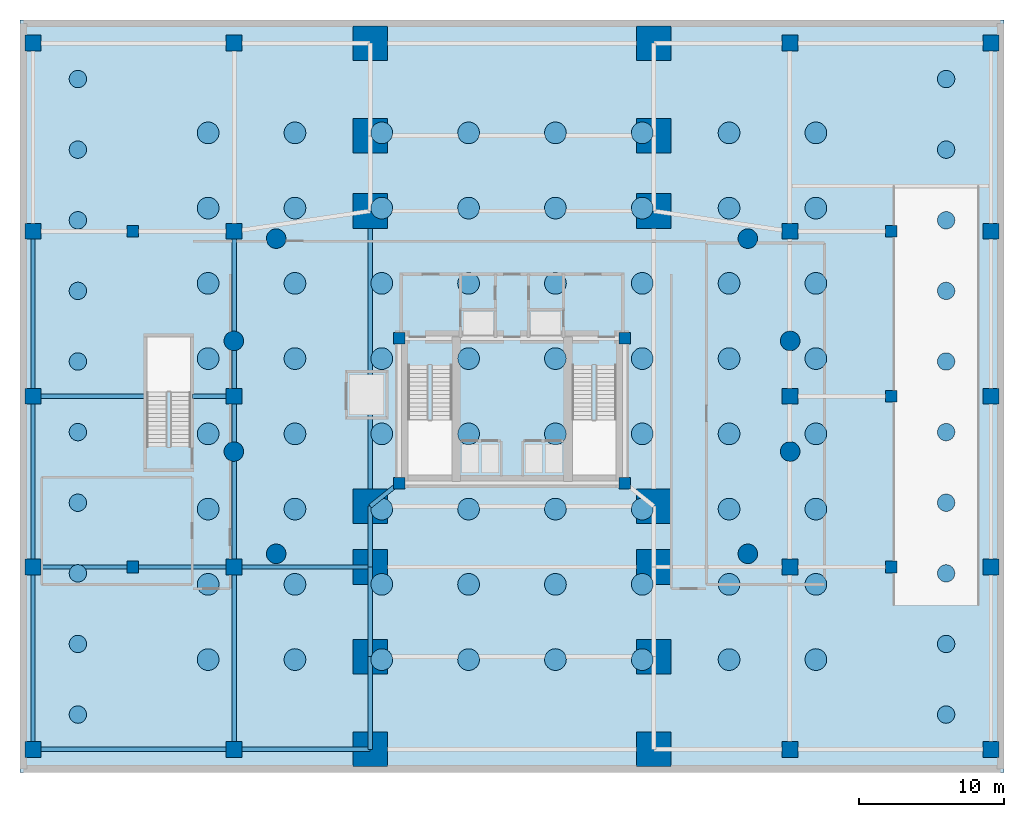
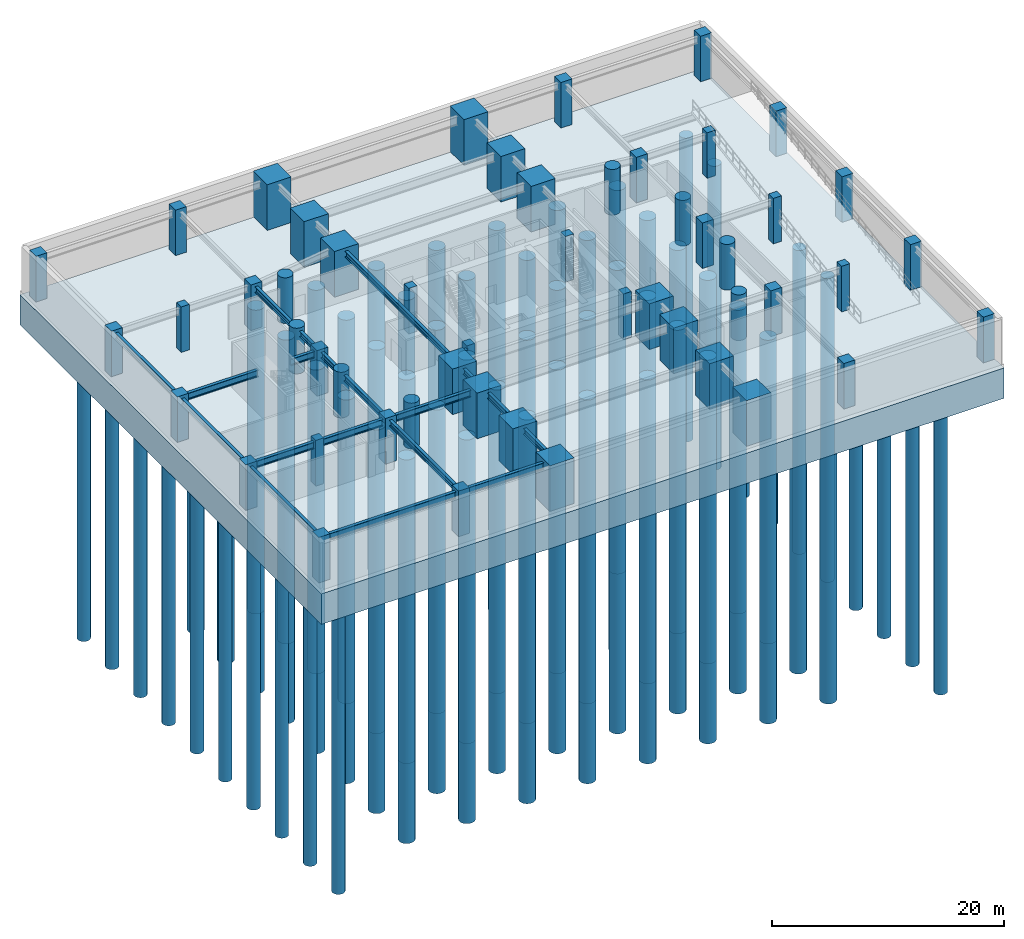
# One storey, part 1 of 8: 84 piles, 51 columns, 17 beams, 1 footing.
"""IFC4 building model written with IfcOpenShell, lengths in metres."""

from ifc_helpers import new_model, si_unit, direction, frame, origin, origin_2d, place, context, subcontext, project, spatial, polyline, rectangle, circle, i_section, outline, extrude, material, layer, layer_set, material_profile, profile_set, type_object, element, save


model = new_model("IFC4")

# Units and contexts
model_context = context("Model", 3, precision=1e-05, world=origin(), true_north=direction((0.0, 1.0)))
body_context = subcontext(model_context, "Body", "Model", "MODEL_VIEW")
ifc_project = project(units=[si_unit("LENGTHUNIT", "METRE"), si_unit("AREAUNIT", "SQUARE_METRE"), si_unit("VOLUMEUNIT", "CUBIC_METRE"), si_unit("PLANEANGLEUNIT", "RADIAN"), si_unit("MASSUNIT", "GRAM", prefix="KILO"), si_unit("THERMODYNAMICTEMPERATUREUNIT", "KELVIN"), si_unit("POWERUNIT", "WATT")], contexts=[model_context])

# Site, building, storey
site_placement = place(None, origin())
site = spatial("IfcSite", under=ifc_project, at=site_placement, CompositionType="ELEMENT")
building_placement = place(site_placement, origin())
building = spatial("IfcBuilding", under=site, at=building_placement, Name="Ocrelia Relay Tower", CompositionType="ELEMENT")
storey_placement = place(building_placement, frame((0.0, 0.0, -9.60009765625)))
storey = spatial("IfcBuildingStorey", under=building, at=storey_placement, Name="B2", CompositionType="ELEMENT", Elevation=-9.60009765625)

# Footing
ifc_material_1 = material(Name="Concrete C50/60", Category="concrete")
ifc_layer = layer(ifc_material_1, 3.199951171875, Name="Concrete C50/60")
ifc_layer_set = layer_set([ifc_layer], Name="Concrete C50/60")
footing_type = type_object("IfcFootingType", Name="FT-RAFT-3200", PredefinedType="USERDEFINED", material=ifc_layer_set)
footing_placement = place(storey_placement, frame((0.0, 0.0, -3.599853515625)))
element("IfcFooting", 1, at=footing_placement, inside=storey, type_object=footing_type, Name="Tower and Podium Piled Raft Foundation", ObjectType="PILED RAFT", PredefinedType="USERDEFINED", context=body_context, shape_type="SweptSolid", body=[
    extrude(outline(polyline([(0.0, 0.0), (68.0, 0.0), (68.0, 52.0), (0.0, 52.0), (0.0, 0.0)])), origin(), (0.0, 0.0, 1.0), 3.199951171875),
])

# Piles
ifc_material_profile_1 = material_profile(ifc_material_1, circle(Radius=0.75, at=origin_2d()), Name="PILE-1500")
ifc_profile_set_1 = profile_set([ifc_material_profile_1], Name="Concrete C50/60")
pile_type_1 = type_object("IfcPileType", Name="PL-BORED-1500", PredefinedType="BORED", material=ifc_profile_set_1)
for number, where, z_axis, x_axis, name in (
    (2, (13.0, 7.800048828125, -3.449951171875), (0.0, 0.0, -1.0), (1.0, 0.0, 0.0), "Tower Bored Pile P01"),
    (3, (13.0, 13.0, -3.449951171875), (0.0, 0.0, -1.0), (1.0, 0.0, 0.0), "Tower Bored Pile P02"),
    (4, (13.0, 18.199951171875, -3.449951171875), (0.0, 0.0, -1.0), (1.0, 0.0, 0.0), "Tower Bored Pile P03"),
    (5, (13.0, 23.39990234375, -3.449951171875), (0.0, 0.0, -1.0), (1.0, 0.0, 0.0), "Tower Bored Pile P04"),
    (6, (13.0, 28.60009765625, -3.449951171875), (0.0, 0.0, -1.0), (1.0, 0.0, 0.0), "Tower Bored Pile P05"),
    (7, (13.0, 33.800048828125, -3.449951171875), (0.0, 0.0, -1.0), (1.0, 0.0, 0.0), "Tower Bored Pile P06"),
    (8, (13.0, 39.0, -3.449951171875), (0.0, 0.0, -1.0), (1.0, 0.0, 0.0), "Tower Bored Pile P07"),
    (9, (13.0, 44.199951171875, -3.449951171875), (0.0, 0.0, -1.0), (1.0, 0.0, 0.0), "Tower Bored Pile P08"),
    (10, (19.0, 7.800048828125, -3.449951171875), (0.0, 0.0, -1.0), (1.0, 0.0, 0.0), "Tower Bored Pile P09"),
    (11, (19.0, 13.0, -3.449951171875), (0.0, 0.0, -1.0), (1.0, 0.0, 0.0), "Tower Bored Pile P10"),
    (12, (19.0, 18.199951171875, -3.449951171875), (0.0, 0.0, -1.0), (1.0, 0.0, 0.0), "Tower Bored Pile P11"),
    (13, (19.0, 23.39990234375, -3.449951171875), (0.0, 0.0, -1.0), (1.0, 0.0, 0.0), "Tower Bored Pile P12"),
    (14, (19.0, 28.60009765625, -3.449951171875), (0.0, 0.0, -1.0), (1.0, 0.0, 0.0), "Tower Bored Pile P13"),
    (15, (19.0, 33.800048828125, -3.449951171875), (0.0, 0.0, -1.0), (1.0, 0.0, 0.0), "Tower Bored Pile P14"),
    (16, (19.0, 39.0, -3.449951171875), (0.0, 0.0, -1.0), (1.0, 0.0, 0.0), "Tower Bored Pile P15"),
    (17, (19.0, 44.199951171875, -3.449951171875), (0.0, 0.0, -1.0), (1.0, 0.0, 0.0), "Tower Bored Pile P16"),
    (18, (25.0, 7.800048828125, -3.449951171875), (0.0, 0.0, -1.0), (1.0, 0.0, 0.0), "Tower Bored Pile P17"),
    (19, (25.0, 13.0, -3.449951171875), (0.0, 0.0, -1.0), (1.0, 0.0, 0.0), "Tower Bored Pile P18"),
    (20, (25.0, 18.199951171875, -3.449951171875), (0.0, 0.0, -1.0), (1.0, 0.0, 0.0), "Tower Bored Pile P19"),
    (21, (25.0, 23.39990234375, -3.449951171875), (0.0, 0.0, -1.0), (1.0, 0.0, 0.0), "Tower Bored Pile P20"),
    (22, (25.0, 28.60009765625, -3.449951171875), (0.0, 0.0, -1.0), (1.0, 0.0, 0.0), "Tower Bored Pile P21"),
    (23, (25.0, 33.800048828125, -3.449951171875), (0.0, 0.0, -1.0), (1.0, 0.0, 0.0), "Tower Bored Pile P22"),
    (24, (25.0, 39.0, -3.449951171875), (0.0, 0.0, -1.0), (1.0, 0.0, 0.0), "Tower Bored Pile P23"),
    (25, (25.0, 44.199951171875, -3.449951171875), (0.0, 0.0, -1.0), (1.0, 0.0, 0.0), "Tower Bored Pile P24"),
    (26, (31.0, 7.800048828125, -3.449951171875), (0.0, 0.0, -1.0), (1.0, 0.0, 0.0), "Tower Bored Pile P25"),
    (27, (31.0, 13.0, -3.449951171875), (0.0, 0.0, -1.0), (1.0, 0.0, 0.0), "Tower Bored Pile P26"),
    (28, (31.0, 18.199951171875, -3.449951171875), (0.0, 0.0, -1.0), (1.0, 0.0, 0.0), "Tower Bored Pile P27"),
    (29, (31.0, 23.39990234375, -3.449951171875), (0.0, 0.0, -1.0), (1.0, 0.0, 0.0), "Tower Bored Pile P28"),
    (30, (31.0, 28.60009765625, -3.449951171875), (0.0, 0.0, -1.0), (1.0, 0.0, 0.0), "Tower Bored Pile P29"),
    (31, (31.0, 33.800048828125, -3.449951171875), (0.0, 0.0, -1.0), (1.0, 0.0, 0.0), "Tower Bored Pile P30"),
    (32, (31.0, 39.0, -3.449951171875), (0.0, 0.0, -1.0), (1.0, 0.0, 0.0), "Tower Bored Pile P31"),
    (33, (31.0, 44.199951171875, -3.449951171875), (0.0, 0.0, -1.0), (1.0, 0.0, 0.0), "Tower Bored Pile P32"),
    (34, (37.0, 7.800048828125, -3.449951171875), (0.0, 0.0, -1.0), (1.0, 0.0, 0.0), "Tower Bored Pile P33"),
    (35, (37.0, 13.0, -3.449951171875), (0.0, 0.0, -1.0), (1.0, 0.0, 0.0), "Tower Bored Pile P34"),
    (36, (37.0, 18.199951171875, -3.449951171875), (0.0, 0.0, -1.0), (1.0, 0.0, 0.0), "Tower Bored Pile P35"),
    (37, (37.0, 23.39990234375, -3.449951171875), (0.0, 0.0, -1.0), (1.0, 0.0, 0.0), "Tower Bored Pile P36"),
    (38, (37.0, 28.60009765625, -3.449951171875), (0.0, 0.0, -1.0), (1.0, 0.0, 0.0), "Tower Bored Pile P37"),
    (39, (37.0, 33.800048828125, -3.449951171875), (0.0, 0.0, -1.0), (1.0, 0.0, 0.0), "Tower Bored Pile P38"),
    (40, (37.0, 39.0, -3.449951171875), (0.0, 0.0, -1.0), (1.0, 0.0, 0.0), "Tower Bored Pile P39"),
    (41, (37.0, 44.199951171875, -3.449951171875), (0.0, 0.0, -1.0), (1.0, 0.0, 0.0), "Tower Bored Pile P40"),
    (42, (43.0, 7.800048828125, -3.449951171875), (0.0, 0.0, -1.0), (1.0, 0.0, 0.0), "Tower Bored Pile P41"),
    (43, (43.0, 13.0, -3.449951171875), (0.0, 0.0, -1.0), (1.0, 0.0, 0.0), "Tower Bored Pile P42"),
    (44, (43.0, 18.199951171875, -3.449951171875), (0.0, 0.0, -1.0), (1.0, 0.0, 0.0), "Tower Bored Pile P43"),
    (45, (43.0, 23.39990234375, -3.449951171875), (0.0, 0.0, -1.0), (1.0, 0.0, 0.0), "Tower Bored Pile P44"),
    (46, (43.0, 28.60009765625, -3.449951171875), (0.0, 0.0, -1.0), (1.0, 0.0, 0.0), "Tower Bored Pile P45"),
    (47, (43.0, 33.800048828125, -3.449951171875), (0.0, 0.0, -1.0), (1.0, 0.0, 0.0), "Tower Bored Pile P46"),
    (48, (43.0, 39.0, -3.449951171875), (0.0, 0.0, -1.0), (1.0, 0.0, 0.0), "Tower Bored Pile P47"),
    (49, (43.0, 44.199951171875, -3.449951171875), (0.0, 0.0, -1.0), (1.0, 0.0, 0.0), "Tower Bored Pile P48"),
    (50, (49.0, 7.800048828125, -3.449951171875), (0.0, 0.0, -1.0), (1.0, 0.0, 0.0), "Tower Bored Pile P49"),
    (51, (49.0, 13.0, -3.449951171875), (0.0, 0.0, -1.0), (1.0, 0.0, 0.0), "Tower Bored Pile P50"),
    (52, (49.0, 18.199951171875, -3.449951171875), (0.0, 0.0, -1.0), (1.0, 0.0, 0.0), "Tower Bored Pile P51"),
    (53, (49.0, 23.39990234375, -3.449951171875), (0.0, 0.0, -1.0), (1.0, 0.0, 0.0), "Tower Bored Pile P52"),
    (54, (49.0, 28.60009765625, -3.449951171875), (0.0, 0.0, -1.0), (1.0, 0.0, 0.0), "Tower Bored Pile P53"),
    (55, (49.0, 33.800048828125, -3.449951171875), (0.0, 0.0, -1.0), (1.0, 0.0, 0.0), "Tower Bored Pile P54"),
    (56, (49.0, 39.0, -3.449951171875), (0.0, 0.0, -1.0), (1.0, 0.0, 0.0), "Tower Bored Pile P55"),
    (57, (49.0, 44.199951171875, -3.449951171875), (0.0, 0.0, -1.0), (1.0, 0.0, 0.0), "Tower Bored Pile P56"),
    (58, (55.0, 7.800048828125, -3.449951171875), (0.0, 0.0, -1.0), (1.0, 0.0, 0.0), "Tower Bored Pile P57"),
    (59, (55.0, 13.0, -3.449951171875), (0.0, 0.0, -1.0), (1.0, 0.0, 0.0), "Tower Bored Pile P58"),
    (60, (55.0, 18.199951171875, -3.449951171875), (0.0, 0.0, -1.0), (1.0, 0.0, 0.0), "Tower Bored Pile P59"),
    (61, (55.0, 23.39990234375, -3.449951171875), (0.0, 0.0, -1.0), (1.0, 0.0, 0.0), "Tower Bored Pile P60"),
    (62, (55.0, 28.60009765625, -3.449951171875), (0.0, 0.0, -1.0), (1.0, 0.0, 0.0), "Tower Bored Pile P61"),
    (63, (55.0, 33.800048828125, -3.449951171875), (0.0, 0.0, -1.0), (1.0, 0.0, 0.0), "Tower Bored Pile P62"),
    (64, (55.0, 39.0, -3.449951171875), (0.0, 0.0, -1.0), (1.0, 0.0, 0.0), "Tower Bored Pile P63"),
    (65, (55.0, 44.199951171875, -3.449951171875), (0.0, 0.0, -1.0), (1.0, 0.0, 0.0), "Tower Bored Pile P64"),
):
    element("IfcPile", number, at=place(storey_placement, frame(where, z_axis=z_axis, x_axis=x_axis)), inside=storey, type_object=pile_type_1, Name=name, PredefinedType="BORED", context=body_context, shape_type="SweptSolid", body=[
        extrude(circle(Radius=0.75, at=origin_2d()), origin(), (0.0, 0.0, 1.0), 32.0),
    ])
ifc_material_profile_2 = material_profile(ifc_material_1, circle(Radius=0.60009765625, at=origin_2d()), Name="PILE-1200")
ifc_profile_set_2 = profile_set([ifc_material_profile_2], Name="Concrete C50/60")
pile_type_2 = type_object("IfcPileType", Name="PL-SUPP-1200", PredefinedType="SUPPORT", material=ifc_profile_set_2)
for number, where, z_axis, x_axis, name in (
    (66, (4.0, 4.0, -3.449951171875), (0.0, 0.0, -1.0), (1.0, 0.0, 0.0), "Podium Bored Pile P65"),
    (67, (4.0, 8.8798828125, -3.449951171875), (0.0, 0.0, -1.0), (1.0, 0.0, 0.0), "Podium Bored Pile P66"),
    (68, (4.0, 13.760009765625, -3.449951171875), (0.0, 0.0, -1.0), (1.0, 0.0, 0.0), "Podium Bored Pile P67"),
    (69, (4.0, 18.639892578125, -3.449951171875), (0.0, 0.0, -1.0), (1.0, 0.0, 0.0), "Podium Bored Pile P68"),
    (70, (4.0, 23.52001953125, -3.449951171875), (0.0, 0.0, -1.0), (1.0, 0.0, 0.0), "Podium Bored Pile P69"),
    (71, (4.0, 28.39990234375, -3.449951171875), (0.0, 0.0, -1.0), (1.0, 0.0, 0.0), "Podium Bored Pile P70"),
    (72, (4.0, 33.280029296875, -3.449951171875), (0.0, 0.0, -1.0), (1.0, 0.0, 0.0), "Podium Bored Pile P71"),
    (73, (4.0, 38.159912109375, -3.449951171875), (0.0, 0.0, -1.0), (1.0, 0.0, 0.0), "Podium Bored Pile P72"),
    (74, (4.0, 43.0400390625, -3.449951171875), (0.0, 0.0, -1.0), (1.0, 0.0, 0.0), "Podium Bored Pile P73"),
    (75, (4.0, 47.919921875, -3.449951171875), (0.0, 0.0, -1.0), (1.0, 0.0, 0.0), "Podium Bored Pile P74"),
    (76, (64.0, 4.0, -3.449951171875), (0.0, 0.0, -1.0), (1.0, 0.0, 0.0), "Podium Bored Pile P75"),
    (77, (64.0, 8.8798828125, -3.449951171875), (0.0, 0.0, -1.0), (1.0, 0.0, 0.0), "Podium Bored Pile P76"),
    (78, (64.0, 13.760009765625, -3.449951171875), (0.0, 0.0, -1.0), (1.0, 0.0, 0.0), "Podium Bored Pile P77"),
    (79, (64.0, 18.639892578125, -3.449951171875), (0.0, 0.0, -1.0), (1.0, 0.0, 0.0), "Podium Bored Pile P78"),
    (80, (64.0, 23.52001953125, -3.449951171875), (0.0, 0.0, -1.0), (1.0, 0.0, 0.0), "Podium Bored Pile P79"),
    (81, (64.0, 28.39990234375, -3.449951171875), (0.0, 0.0, -1.0), (1.0, 0.0, 0.0), "Podium Bored Pile P80"),
    (82, (64.0, 33.280029296875, -3.449951171875), (0.0, 0.0, -1.0), (1.0, 0.0, 0.0), "Podium Bored Pile P81"),
    (83, (64.0, 38.159912109375, -3.449951171875), (0.0, 0.0, -1.0), (1.0, 0.0, 0.0), "Podium Bored Pile P82"),
    (84, (64.0, 43.0400390625, -3.449951171875), (0.0, 0.0, -1.0), (1.0, 0.0, 0.0), "Podium Bored Pile P83"),
    (85, (64.0, 47.919921875, -3.449951171875), (0.0, 0.0, -1.0), (1.0, 0.0, 0.0), "Podium Bored Pile P84"),
):
    element("IfcPile", number, at=place(storey_placement, frame(where, z_axis=z_axis, x_axis=x_axis)), inside=storey, type_object=pile_type_2, Name=name, PredefinedType="SUPPORT", context=body_context, shape_type="SweptSolid", body=[
        extrude(circle(Radius=0.60009765625, at=origin_2d()), origin(), (0.0, 0.0, 1.0), 32.0),
    ])

# Columns
ifc_material_2 = material(Name="Concrete C70/85", Category="concrete")
ifc_material_profile_3 = material_profile(ifc_material_2, rectangle(XDim=1.10009765625, YDim=1.10009765625, at=origin_2d()), Name="RC-COL-1100x1100")
ifc_profile_set_3 = profile_set([ifc_material_profile_3], Name="Concrete C70/85")
column_type_1 = type_object("IfcColumnType", Name="COL-CC-1100", PredefinedType="COLUMN", material=ifc_profile_set_3)
for number, where, z_axis, x_axis, name in (
    (86, (0.89990234375, 1.60009765625, 0.0), (0.0, 0.0, 1.0), (1.0, 0.0, 0.0), "B2 Podium Column PC01"),
    (87, (0.89990234375, 14.199951171875, 0.0), (0.0, 0.0, 1.0), (1.0, 0.0, 0.0), "B2 Podium Column PC02"),
    (88, (0.89990234375, 26.0, 0.0), (0.0, 0.0, 1.0), (1.0, 0.0, 0.0), "B2 Podium Column PC03"),
    (89, (0.89990234375, 37.39990234375, 0.0), (0.0, 0.0, 1.0), (1.0, 0.0, 0.0), "B2 Podium Column PC04"),
    (90, (0.89990234375, 50.39990234375, 0.0), (0.0, 0.0, 1.0), (1.0, 0.0, 0.0), "B2 Podium Column PC05"),
    (91, (14.800048828125, 1.60009765625, 0.0), (0.0, 0.0, 1.0), (1.0, 0.0, 0.0), "B2 Podium Column PC06"),
    (92, (14.800048828125, 14.199951171875, 0.0), (0.0, 0.0, 1.0), (1.0, 0.0, 0.0), "B2 Podium Column PC07"),
    (93, (14.800048828125, 26.0, 0.0), (0.0, 0.0, 1.0), (1.0, 0.0, 0.0), "B2 Podium Column PC08"),
    (94, (14.800048828125, 37.39990234375, 0.0), (0.0, 0.0, 1.0), (1.0, 0.0, 0.0), "B2 Podium Column PC09"),
    (95, (14.800048828125, 50.39990234375, 0.0), (0.0, 0.0, 1.0), (1.0, 0.0, 0.0), "B2 Podium Column PC10"),
    (96, (53.199951171875, 1.60009765625, 0.0), (0.0, 0.0, 1.0), (1.0, 0.0, 0.0), "B2 Podium Column PC11"),
    (97, (53.199951171875, 14.199951171875, 0.0), (0.0, 0.0, 1.0), (1.0, 0.0, 0.0), "B2 Podium Column PC12"),
    (98, (53.199951171875, 26.0, 0.0), (0.0, 0.0, 1.0), (1.0, 0.0, 0.0), "B2 Podium Column PC13"),
    (99, (53.199951171875, 37.39990234375, 0.0), (0.0, 0.0, 1.0), (1.0, 0.0, 0.0), "B2 Podium Column PC14"),
    (100, (53.199951171875, 50.39990234375, 0.0), (0.0, 0.0, 1.0), (1.0, 0.0, 0.0), "B2 Podium Column PC15"),
    (101, (67.10009765625, 1.60009765625, 0.0), (0.0, 0.0, 1.0), (1.0, 0.0, 0.0), "B2 Podium Column PC16"),
    (102, (67.10009765625, 14.199951171875, 0.0), (0.0, 0.0, 1.0), (1.0, 0.0, 0.0), "B2 Podium Column PC17"),
    (103, (67.10009765625, 26.0, 0.0), (0.0, 0.0, 1.0), (1.0, 0.0, 0.0), "B2 Podium Column PC18"),
    (104, (67.10009765625, 37.39990234375, 0.0), (0.0, 0.0, 1.0), (1.0, 0.0, 0.0), "B2 Podium Column PC19"),
    (105, (67.10009765625, 50.39990234375, 0.0), (0.0, 0.0, 1.0), (1.0, 0.0, 0.0), "B2 Podium Column PC20"),
):
    element("IfcColumn", number, at=place(storey_placement, frame(where, z_axis=z_axis, x_axis=x_axis)), inside=storey, type_object=column_type_1, Name=name, PredefinedType="COLUMN", context=body_context, shape_type="SweptSolid", body=[
        extrude(rectangle(XDim=1.10009765625, YDim=1.10009765625, at=origin_2d()), origin(), (0.0, 0.0, 1.0), 4.800048828125),
    ])
ifc_material_profile_4 = material_profile(ifc_material_1, rectangle(XDim=0.800048828125, YDim=0.800048828125, at=origin_2d()), Name="RC-COL-800x800")
ifc_profile_set_4 = profile_set([ifc_material_profile_4], Name="Concrete C50/60")
column_type_2 = type_object("IfcColumnType", Name="COL-CC-800", PredefinedType="COLUMN", material=ifc_profile_set_4)
for number, where, z_axis, x_axis, name in (
    (106, (7.800048828125, 14.199951171875, 0.0), (0.0, 0.0, 1.0), (1.0, 0.0, 0.0), "B2 Vehicle Ramp Well Trimmer Column W1"),
    (107, (7.800048828125, 37.39990234375, 0.0), (0.0, 0.0, 1.0), (1.0, 0.0, 0.0), "B2 Vehicle Ramp Well Trimmer Column W2"),
    (108, (60.199951171875, 14.199951171875, 0.0), (0.0, 0.0, 1.0), (1.0, 0.0, 0.0), "B2 Vehicle Ramp Well Trimmer Column E1"),
    (109, (60.199951171875, 26.0, 0.0), (0.0, 0.0, 1.0), (1.0, 0.0, 0.0), "B2 Vehicle Ramp Well Trimmer Column E2"),
    (110, (60.199951171875, 37.39990234375, 0.0), (0.0, 0.0, 1.0), (1.0, 0.0, 0.0), "B2 Vehicle Ramp Well Trimmer Column E3"),
):
    element("IfcColumn", number, at=place(storey_placement, frame(where, z_axis=z_axis, x_axis=x_axis)), inside=storey, type_object=column_type_2, Name=name, PredefinedType="COLUMN", context=body_context, shape_type="SweptSolid", body=[
        extrude(rectangle(XDim=0.800048828125, YDim=0.800048828125, at=origin_2d()), origin(), (0.0, 0.0, 1.0), 4.800048828125),
    ])
ifc_material_profile_5 = material_profile(ifc_material_2, circle(Radius=0.675048828125, at=origin_2d()), Name="RC-CIR-1350")
ifc_profile_set_5 = profile_set([ifc_material_profile_5], Name="Concrete C70/85")
column_type_3 = type_object("IfcColumnType", Name="COL-CT-1350", PredefinedType="COLUMN", material=ifc_profile_set_5)
for number, where, z_axis, x_axis, name in (
    (111, (53.223388671875, 29.82373046875, 0.0), (0.0, 0.0, 1.0), (1.0, 0.0, 0.0), "B2 Tower Ring Column Z1-01"),
    (112, (50.296875, 36.88916015625, 0.0), (0.0, 0.0, 1.0), (1.0, 0.0, 0.0), "B2 Tower Ring Column Z1-02"),
    (113, (17.703125, 36.88916015625, 0.0), (0.0, 0.0, 1.0), (1.0, 0.0, 0.0), "B2 Tower Ring Column Z1-07"),
    (114, (14.776611328125, 29.82373046875, 0.0), (0.0, 0.0, 1.0), (1.0, 0.0, 0.0), "B2 Tower Ring Column Z1-08"),
    (115, (14.776611328125, 22.17626953125, 0.0), (0.0, 0.0, 1.0), (1.0, 0.0, 0.0), "B2 Tower Ring Column Z1-09"),
    (116, (17.703125, 15.11083984375, 0.0), (0.0, 0.0, 1.0), (1.0, 0.0, 0.0), "B2 Tower Ring Column Z1-10"),
    (117, (50.296875, 15.11083984375, 0.0), (0.0, 0.0, 1.0), (1.0, 0.0, 0.0), "B2 Tower Ring Column Z1-15"),
    (118, (53.223388671875, 22.17626953125, 0.0), (0.0, 0.0, 1.0), (1.0, 0.0, 0.0), "B2 Tower Ring Column Z1-16"),
):
    element("IfcColumn", number, at=place(storey_placement, frame(where, z_axis=z_axis, x_axis=x_axis)), inside=storey, type_object=column_type_3, Name=name, PredefinedType="COLUMN", context=body_context, shape_type="SweptSolid", body=[
        extrude(circle(Radius=0.675048828125, at=origin_2d()), origin(), (0.0, 0.0, 1.0), 4.800048828125),
    ])
ifc_material_profile_6 = material_profile(ifc_material_2, rectangle(XDim=2.39990234375, YDim=2.39990234375, at=origin_2d()), Name="RC-PIER-2400x2400")
ifc_profile_set_6 = profile_set([ifc_material_profile_6], Name="Concrete C70/85")
column_type_4 = type_object("IfcColumnType", Name="COL-PIER-2400", PredefinedType="USERDEFINED", material=ifc_profile_set_6)
for number, where, z_axis, x_axis, name in (
    (119, (24.199951171875, 1.60009765625, 0.0), (0.0, 0.0, 1.0), (1.0, 0.0, 0.0), "B2 Portal Arch Pier P01"),
    (120, (24.199951171875, 8.0, 0.0), (0.0, 0.0, 1.0), (1.0, 0.0, 0.0), "B2 Portal Arch Pier P02"),
    (121, (24.199951171875, 14.199951171875, 0.0), (0.0, 0.0, 1.0), (1.0, 0.0, 0.0), "B2 Portal Arch Pier P03"),
    (122, (24.199951171875, 18.39990234375, 0.0), (0.0, 0.0, 1.0), (1.0, 0.0, 0.0), "B2 Portal Arch Pier P04"),
    (123, (24.199951171875, 38.800048828125, 0.0), (0.0, 0.0, 1.0), (1.0, 0.0, 0.0), "B2 Portal Arch Pier P05"),
    (124, (24.199951171875, 44.0, 0.0), (0.0, 0.0, 1.0), (1.0, 0.0, 0.0), "B2 Portal Arch Pier P06"),
    (125, (24.199951171875, 50.39990234375, 0.0), (0.0, 0.0, 1.0), (1.0, 0.0, 0.0), "B2 Portal Arch Pier P07"),
    (126, (43.800048828125, 1.60009765625, 0.0), (0.0, 0.0, 1.0), (1.0, 0.0, 0.0), "B2 Portal Arch Pier P08"),
    (127, (43.800048828125, 8.0, 0.0), (0.0, 0.0, 1.0), (1.0, 0.0, 0.0), "B2 Portal Arch Pier P09"),
    (128, (43.800048828125, 14.199951171875, 0.0), (0.0, 0.0, 1.0), (1.0, 0.0, 0.0), "B2 Portal Arch Pier P10"),
    (129, (43.800048828125, 18.39990234375, 0.0), (0.0, 0.0, 1.0), (1.0, 0.0, 0.0), "B2 Portal Arch Pier P11"),
    (130, (43.800048828125, 38.800048828125, 0.0), (0.0, 0.0, 1.0), (1.0, 0.0, 0.0), "B2 Portal Arch Pier P12"),
    (131, (43.800048828125, 44.0, 0.0), (0.0, 0.0, 1.0), (1.0, 0.0, 0.0), "B2 Portal Arch Pier P13"),
    (132, (43.800048828125, 50.39990234375, 0.0), (0.0, 0.0, 1.0), (1.0, 0.0, 0.0), "B2 Portal Arch Pier P14"),
):
    element("IfcColumn", number, at=place(storey_placement, frame(where, z_axis=z_axis, x_axis=x_axis)), inside=storey, type_object=column_type_4, Name=name, ObjectType="PORTAL PIER", PredefinedType="USERDEFINED", context=body_context, shape_type="SweptSolid", body=[
        extrude(rectangle(XDim=2.39990234375, YDim=2.39990234375, at=origin_2d()), origin(), (0.0, 0.0, 1.0), 4.800048828125),
    ])
ifc_material_3 = material(Name="Concrete C60/75", Category="concrete")
ifc_material_profile_7 = material_profile(ifc_material_3, rectangle(XDim=0.800048828125, YDim=0.800048828125, at=origin_2d()), Name="RC-COL-800x800")
ifc_profile_set_7 = profile_set([ifc_material_profile_7], Name="Concrete C60/75")
column_type_5 = type_object("IfcColumnType", Name="COL-PILASTER-800", PredefinedType="PILASTER", material=ifc_profile_set_7)
for number, where, z_axis, x_axis, name in (
    (133, (26.199951171875, 20.0, 0.0), (0.0, 0.0, 1.0), (1.0, 0.0, 0.0), "B2 Core Corner Pilaster SW"),
    (134, (41.800048828125, 20.0, 0.0), (0.0, 0.0, 1.0), (1.0, 0.0, 0.0), "B2 Core Corner Pilaster SE"),
    (135, (26.199951171875, 30.0, 0.0), (0.0, 0.0, 1.0), (1.0, 0.0, 0.0), "B2 Core Corner Pilaster NW"),
    (136, (41.800048828125, 30.0, 0.0), (0.0, 0.0, 1.0), (1.0, 0.0, 0.0), "B2 Core Corner Pilaster NE"),
):
    element("IfcColumn", number, at=place(storey_placement, frame(where, z_axis=z_axis, x_axis=x_axis)), inside=storey, type_object=column_type_5, Name=name, PredefinedType="PILASTER", context=body_context, shape_type="SweptSolid", body=[
        extrude(rectangle(XDim=0.800048828125, YDim=0.800048828125, at=origin_2d()), origin(), (0.0, 0.0, 1.0), 4.800048828125),
    ])

# Beams
ifc_material_4 = material(Name="Steel S355", Category="steel")
ifc_material_profile_8 = material_profile(ifc_material_4, i_section(OverallWidth=0.300048828125, OverallDepth=0.60009765625, WebThickness=0.015380859375, FlangeThickness=0.030029296875, FilletRadius=0.027099609375, at=origin_2d()), Name="HEB 600")
ifc_profile_set_8 = profile_set([ifc_material_profile_8], Name="Steel S355")
beam_type_1 = type_object("IfcBeamType", Name="BM-HEB600", PredefinedType="BEAM", material=ifc_profile_set_8)
beam_1_placement = place(storey_placement, frame((0.89990234375, 1.60009765625, 4.18017578125), z_axis=(0.0, 1.0, 0.0), x_axis=(-1.0, 0.0, 0.0)))
element("IfcBeam", 137, at=beam_1_placement, inside=storey, type_object=beam_type_1, Name="B2 Podium Span Girder W-1", PredefinedType="BEAM", context=body_context, shape_type="SweptSolid", body=[
    extrude(i_section(OverallWidth=0.300048828125, OverallDepth=0.60009765625, WebThickness=0.015380859375, FlangeThickness=0.030029296875, FilletRadius=0.027099609375, at=origin_2d()), origin(), (0.0, 0.0, 1.0), 12.599853515625),
])
beam_2_placement = place(storey_placement, frame((0.89990234375, 14.199951171875, 4.18017578125), z_axis=(0.0, 1.0, 0.0), x_axis=(-1.0, 0.0, 0.0)))
element("IfcBeam", 138, at=beam_2_placement, inside=storey, type_object=beam_type_1, Name="B2 Podium Span Girder W-2", PredefinedType="BEAM", context=body_context, shape_type="SweptSolid", body=[
    extrude(i_section(OverallWidth=0.300048828125, OverallDepth=0.60009765625, WebThickness=0.015380859375, FlangeThickness=0.030029296875, FilletRadius=0.027099609375, at=origin_2d()), origin(), (0.0, 0.0, 1.0), 11.800048828125),
])
beam_3_placement = place(storey_placement, frame((0.89990234375, 26.0, 4.18017578125), z_axis=(0.0, 1.0, 0.0), x_axis=(-1.0, 0.0, 0.0)))
element("IfcBeam", 139, at=beam_3_placement, inside=storey, type_object=beam_type_1, Name="B2 Podium Span Girder W-3", PredefinedType="BEAM", context=body_context, shape_type="SweptSolid", body=[
    extrude(i_section(OverallWidth=0.300048828125, OverallDepth=0.60009765625, WebThickness=0.015380859375, FlangeThickness=0.030029296875, FilletRadius=0.027099609375, at=origin_2d()), origin(), (0.0, 0.0, 1.0), 11.39990234375),
])
beam_4_placement = place(storey_placement, frame((14.800048828125, 1.60009765625, 4.18017578125), z_axis=(0.0, 1.0, 0.0), x_axis=(-1.0, 0.0, 0.0)))
element("IfcBeam", 140, at=beam_4_placement, inside=storey, type_object=beam_type_1, Name="B2 Podium Span Girder IW-1", PredefinedType="BEAM", context=body_context, shape_type="SweptSolid", body=[
    extrude(i_section(OverallWidth=0.300048828125, OverallDepth=0.60009765625, WebThickness=0.015380859375, FlangeThickness=0.030029296875, FilletRadius=0.027099609375, at=origin_2d()), origin(), (0.0, 0.0, 1.0), 12.599853515625),
])
beam_5_placement = place(storey_placement, frame((14.800048828125, 14.199951171875, 4.18017578125), z_axis=(0.0, 1.0, 0.0), x_axis=(-1.0, 0.0, 0.0)))
element("IfcBeam", 141, at=beam_5_placement, inside=storey, type_object=beam_type_1, Name="B2 Podium Span Girder IW-2", PredefinedType="BEAM", context=body_context, shape_type="SweptSolid", body=[
    extrude(i_section(OverallWidth=0.300048828125, OverallDepth=0.60009765625, WebThickness=0.015380859375, FlangeThickness=0.030029296875, FilletRadius=0.027099609375, at=origin_2d()), origin(), (0.0, 0.0, 1.0), 11.800048828125),
])
beam_6_placement = place(storey_placement, frame((14.800048828125, 26.0, 4.18017578125), z_axis=(0.0, 1.0, 0.0), x_axis=(-1.0, 0.0, 0.0)))
element("IfcBeam", 142, at=beam_6_placement, inside=storey, type_object=beam_type_1, Name="B2 Podium Span Girder IW-3", PredefinedType="BEAM", context=body_context, shape_type="SweptSolid", body=[
    extrude(i_section(OverallWidth=0.300048828125, OverallDepth=0.60009765625, WebThickness=0.015380859375, FlangeThickness=0.030029296875, FilletRadius=0.027099609375, at=origin_2d()), origin(), (0.0, 0.0, 1.0), 11.39990234375),
])
beam_7_placement = place(storey_placement, frame((24.199951171875, 1.60009765625, 4.18017578125), z_axis=(0.0, 1.0, 0.0), x_axis=(-1.0, 0.0, 0.0)))
element("IfcBeam", 143, at=beam_7_placement, inside=storey, type_object=beam_type_1, Name="B2 Pier Line Tie Girder AW-1", PredefinedType="BEAM", context=body_context, shape_type="SweptSolid", body=[
    extrude(i_section(OverallWidth=0.300048828125, OverallDepth=0.60009765625, WebThickness=0.015380859375, FlangeThickness=0.030029296875, FilletRadius=0.027099609375, at=origin_2d()), origin(), (0.0, 0.0, 1.0), 6.39990234375),
])
beam_8_placement = place(storey_placement, frame((24.199951171875, 8.0, 4.18017578125), z_axis=(0.0, 1.0, 0.0), x_axis=(-1.0, 0.0, 0.0)))
element("IfcBeam", 144, at=beam_8_placement, inside=storey, type_object=beam_type_1, Name="B2 Pier Line Tie Girder AW-2", PredefinedType="BEAM", context=body_context, shape_type="SweptSolid", body=[
    extrude(i_section(OverallWidth=0.300048828125, OverallDepth=0.60009765625, WebThickness=0.015380859375, FlangeThickness=0.030029296875, FilletRadius=0.027099609375, at=origin_2d()), origin(), (0.0, 0.0, 1.0), 6.199951171875),
])
beam_9_placement = place(storey_placement, frame((24.199951171875, 14.199951171875, 4.18017578125), z_axis=(0.0, 1.0, 0.0), x_axis=(-1.0, 0.0, 0.0)))
element("IfcBeam", 145, at=beam_9_placement, inside=storey, type_object=beam_type_1, Name="B2 Pier Line Tie Girder AW-3", PredefinedType="BEAM", context=body_context, shape_type="SweptSolid", body=[
    extrude(i_section(OverallWidth=0.300048828125, OverallDepth=0.60009765625, WebThickness=0.015380859375, FlangeThickness=0.030029296875, FilletRadius=0.027099609375, at=origin_2d()), origin(), (0.0, 0.0, 1.0), 4.199951171875),
])
beam_10_placement = place(storey_placement, frame((24.199951171875, 18.39990234375, 4.18017578125), z_axis=(0.0, 1.0, 0.0), x_axis=(-1.0, 0.0, 0.0)))
element("IfcBeam", 146, at=beam_10_placement, inside=storey, type_object=beam_type_1, Name="B2 Pier Line Tie Girder AW-6", PredefinedType="BEAM", context=body_context, shape_type="SweptSolid", body=[
    extrude(i_section(OverallWidth=0.300048828125, OverallDepth=0.60009765625, WebThickness=0.015380859375, FlangeThickness=0.030029296875, FilletRadius=0.027099609375, at=origin_2d()), origin(), (0.0, 0.0, 1.0), 20.400146484375),
])
beam_11_placement = place(storey_placement, frame((24.199951171875, 18.39990234375, 4.18017578125), z_axis=(0.78085021034, 0.624718295724, 0.0), x_axis=(-0.624718295724, 0.78085021034, 0.0)))
element("IfcBeam", 147, at=beam_11_placement, inside=storey, type_object=beam_type_1, Name="B2 Core Pilaster Link Girder AWS", PredefinedType="BEAM", context=body_context, shape_type="SweptSolid", body=[
    extrude(i_section(OverallWidth=0.300048828125, OverallDepth=0.60009765625, WebThickness=0.015380859375, FlangeThickness=0.030029296875, FilletRadius=0.027099609375, at=origin_2d()), origin(), (0.0, 0.0, 1.0), 2.561279296875),
])
ifc_material_profile_9 = material_profile(ifc_material_4, i_section(OverallWidth=0.300048828125, OverallDepth=0.699951171875, WebThickness=0.01708984375, FlangeThickness=0.031982421875, FilletRadius=0.027099609375, at=origin_2d()), Name="HEB 700")
ifc_profile_set_9 = profile_set([ifc_material_profile_9], Name="Steel S355")
beam_type_2 = type_object("IfcBeamType", Name="BM-HEB700", PredefinedType="BEAM", material=ifc_profile_set_9)
beam_12_placement = place(storey_placement, frame((0.89990234375, 1.60009765625, 4.130126953125), z_axis=(1.0, 0.0, 0.0), x_axis=(0.0, 1.0, 0.0)))
element("IfcBeam", 148, at=beam_12_placement, inside=storey, type_object=beam_type_2, Name="B2 West Outer Podium Girder S", PredefinedType="BEAM", context=body_context, shape_type="SweptSolid", body=[
    extrude(i_section(OverallWidth=0.300048828125, OverallDepth=0.699951171875, WebThickness=0.01708984375, FlangeThickness=0.031982421875, FilletRadius=0.027099609375, at=origin_2d()), origin(), (0.0, 0.0, 1.0), 13.900146484375),
])
beam_13_placement = place(storey_placement, frame((14.800048828125, 1.60009765625, 4.130126953125), z_axis=(1.0, 0.0, 0.0), x_axis=(0.0, 1.0, 0.0)))
element("IfcBeam", 149, at=beam_13_placement, inside=storey, type_object=beam_type_2, Name="B2 West Inner Podium Girder S", PredefinedType="BEAM", context=body_context, shape_type="SweptSolid", body=[
    extrude(i_section(OverallWidth=0.300048828125, OverallDepth=0.699951171875, WebThickness=0.01708984375, FlangeThickness=0.031982421875, FilletRadius=0.027099609375, at=origin_2d()), origin(), (0.0, 0.0, 1.0), 9.39990234375),
])
beam_14_placement = place(storey_placement, frame((0.89990234375, 14.199951171875, 4.130126953125), z_axis=(1.0, 0.0, 0.0), x_axis=(0.0, 1.0, 0.0)))
element("IfcBeam", 150, at=beam_14_placement, inside=storey, type_object=beam_type_2, Name="B2 West Outer Podium Girder M1", PredefinedType="BEAM", context=body_context, shape_type="SweptSolid", body=[
    extrude(i_section(OverallWidth=0.300048828125, OverallDepth=0.699951171875, WebThickness=0.01708984375, FlangeThickness=0.031982421875, FilletRadius=0.027099609375, at=origin_2d()), origin(), (0.0, 0.0, 1.0), 13.900146484375),
])
beam_15_placement = place(storey_placement, frame((14.800048828125, 14.199951171875, 4.130126953125), z_axis=(1.0, 0.0, 0.0), x_axis=(0.0, 1.0, 0.0)))
element("IfcBeam", 151, at=beam_15_placement, inside=storey, type_object=beam_type_2, Name="B2 West Inner Podium Girder M1", PredefinedType="BEAM", context=body_context, shape_type="SweptSolid", body=[
    extrude(i_section(OverallWidth=0.300048828125, OverallDepth=0.699951171875, WebThickness=0.01708984375, FlangeThickness=0.031982421875, FilletRadius=0.027099609375, at=origin_2d()), origin(), (0.0, 0.0, 1.0), 9.39990234375),
])
beam_16_placement = place(storey_placement, frame((0.89990234375, 26.0, 4.130126953125), z_axis=(1.0, 0.0, 0.0), x_axis=(0.0, 1.0, 0.0)))
element("IfcBeam", 152, at=beam_16_placement, inside=storey, type_object=beam_type_2, Name="B2 West Mid Podium Girder Outer", PredefinedType="BEAM", context=body_context, shape_type="SweptSolid", body=[
    extrude(i_section(OverallWidth=0.300048828125, OverallDepth=0.699951171875, WebThickness=0.01708984375, FlangeThickness=0.031982421875, FilletRadius=0.027099609375, at=origin_2d()), origin(), (0.0, 0.0, 1.0), 7.752197265625),
])
beam_17_placement = place(storey_placement, frame((11.907958984375, 26.0, 4.130126953125), z_axis=(1.0, 0.0, 0.0), x_axis=(0.0, 1.0, 0.0)))
element("IfcBeam", 153, at=beam_17_placement, inside=storey, type_object=beam_type_2, Name="B2 West Mid Podium Girder Inner", PredefinedType="BEAM", context=body_context, shape_type="SweptSolid", body=[
    extrude(i_section(OverallWidth=0.300048828125, OverallDepth=0.699951171875, WebThickness=0.01708984375, FlangeThickness=0.031982421875, FilletRadius=0.027099609375, at=origin_2d()), origin(), (0.0, 0.0, 1.0), 2.89208984375),
])

save(model, "model.ifc")
